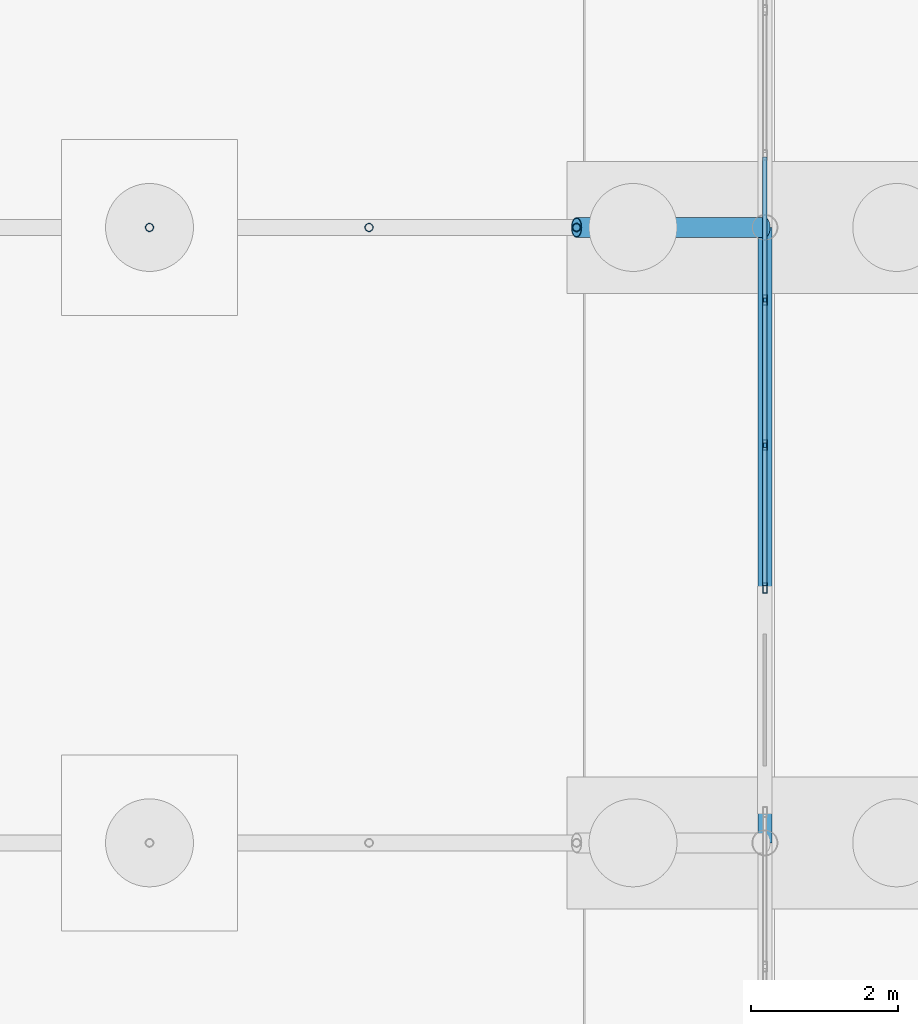
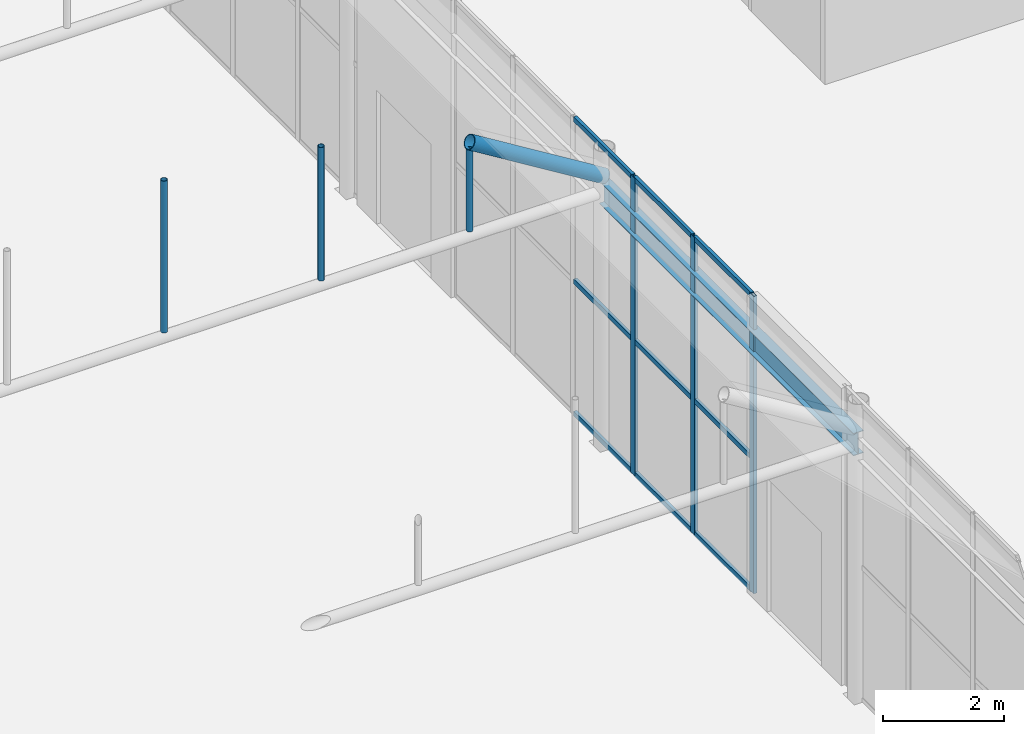
# One storey, part 108 of 212: 16 members, 1 beam, 1 element without a shape of its own.
"""IFC4 building model written with IfcOpenShell, lengths in metres."""

from ifc_helpers import new_model, si_unit, direction, frame, origin, origin_2d, place, context, subcontext, project, spatial, hollow_rectangle, hollow_circle, i_section, extrude, material, material_profile, profile_set, type_object, element, aggregate, save


model = new_model("IFC4")

# Units and contexts
model_context = context("Model", 3, precision=1e-05, world=origin(), true_north=direction((0.0, 1.0)))
body_context = subcontext(model_context, "Body", "Model", "MODEL_VIEW")
ifc_project = project(units=[si_unit("LENGTHUNIT", "METRE"), si_unit("AREAUNIT", "SQUARE_METRE"), si_unit("VOLUMEUNIT", "CUBIC_METRE"), si_unit("PLANEANGLEUNIT", "RADIAN"), si_unit("MASSUNIT", "GRAM", prefix="KILO")], contexts=[model_context])

# Site, building, storey
site_placement = place(None, origin())
site = spatial("IfcSite", under=ifc_project, at=site_placement, CompositionType="ELEMENT")
building_placement = place(site_placement, origin())
building = spatial("IfcBuilding", under=site, at=building_placement, Name="Catenary Quay Ferry Terminal", CompositionType="ELEMENT")
storey_placement = place(building_placement, origin())
storey = spatial("IfcBuildingStorey", under=building, at=storey_placement, Name="L00", CompositionType="ELEMENT", Elevation=0.0)

# Beam
ifc_material_1 = material(Name="Steel S355", Category="steel")
ifc_material_profile_1 = material_profile(ifc_material_1, i_section(OverallWidth=0.18994140625, OverallDepth=0.453369140625, WebThickness=0.008544921875, FlangeThickness=0.0126953125, at=origin_2d()), Name="UB 457x191x67")
ifc_profile_set_1 = profile_set([ifc_material_profile_1], Name="Steel S355")
beam_type = type_object("IfcBeamType", Name="B1 UB 457x191x67", PredefinedType="BEAM", material=ifc_profile_set_1)
beam_placement = place(storey_placement, frame((25.199951171875, 117.60009765625, 5.10009765625), z_axis=(0.0, 1.0, 0.0), x_axis=(-1.0, 0.0, 0.0)))
element("IfcBeam", 1, at=beam_placement, inside=storey, type_object=beam_type, Name="Eaves beam B-FD7", PredefinedType="BEAM", context=body_context, shape_type="SweptSolid", body=[
    extrude(i_section(OverallWidth=0.18994140625, OverallDepth=0.453369140625, WebThickness=0.008544921875, FlangeThickness=0.0126953125, at=origin_2d()), origin(), (0.0, 0.0, 1.0), 8.39990234375),
])

# Members
ifc_material_2 = material(Name="Steel S355", Category="steel")
ifc_material_profile_2 = material_profile(ifc_material_2, hollow_circle(Radius=0.05712890625, WallThickness=0.00634765625, at=origin_2d()), Name="CHS 114.3x6.3")
ifc_profile_set_2 = profile_set([ifc_material_profile_2], Name="Steel S355")
member_type_1 = type_object("IfcMemberType", Name="HG1 CHS 114.3x6.3", PredefinedType="POST", material=ifc_profile_set_2)
member_1_placement = place(storey_placement, frame((16.800048828125, 126.0, 5.205078125), z_axis=(0.0, 0.0, 1.0), x_axis=(1.0, 0.0, 0.0)))
element("IfcMember", 2, at=member_1_placement, inside=storey, type_object=member_type_1, Name="Hanger FC-08-03", PredefinedType="POST", context=body_context, shape_type="SweptSolid", body=[
    extrude(hollow_circle(Radius=0.05712890625, WallThickness=0.00634765625, at=origin_2d()), origin(), (0.0, 0.0, 1.0), 3.06494140625),
])
member_2_placement = place(storey_placement, frame((19.797119140625, 126.0, 5.205078125), z_axis=(0.0, 0.0, 1.0), x_axis=(1.0, 0.0, 0.0)))
element("IfcMember", 3, at=member_2_placement, inside=storey, type_object=member_type_1, Name="Hanger FC-08-04", PredefinedType="POST", context=body_context, shape_type="SweptSolid", body=[
    extrude(hollow_circle(Radius=0.05712890625, WallThickness=0.00634765625, at=origin_2d()), origin(), (0.0, 0.0, 1.0), 2.69580078125),
])
member_3_placement = place(storey_placement, frame((22.62890625, 126.0, 5.205078125), z_axis=(0.0, 0.0, 1.0), x_axis=(1.0, 0.0, 0.0)))
element("IfcMember", 4, at=member_3_placement, inside=storey, type_object=member_type_1, Name="Hanger FC-08-05", PredefinedType="POST", context=body_context, shape_type="SweptSolid", body=[
    extrude(hollow_circle(Radius=0.05712890625, WallThickness=0.00634765625, at=origin_2d()), origin(), (0.0, 0.0, 1.0), 1.64892578125),
])

# Curtain wall, members
ifc_material_3 = material(Name="Aluminium and glass", Category="aluminium")
curtain_wall_type = type_object("IfcCurtainWallType", Name="CWG", PredefinedType="NOTDEFINED", material=ifc_material_3)
curtain_wall_placement = place(storey_placement, origin())
curtain_wall = element("IfcCurtainWall", 5, at=curtain_wall_placement, inside=storey, type_object=curtain_wall_type, Name="Gable departure hall curtain wall CW14", PredefinedType="NOTDEFINED")
ifc_material_4 = material(Name="Aluminium", Category="aluminium")
ifc_material_profile_3 = material_profile(ifc_material_4, hollow_rectangle(XDim=0.06005859375, YDim=0.139892578125, WallThickness=0.006103515625, at=origin_2d()), Name="MU2")
ifc_profile_set_3 = profile_set([ifc_material_profile_3], Name="Aluminium")
member_type_2 = type_object("IfcMemberType", Name="MU2", PredefinedType="MULLION", material=ifc_profile_set_3)
member_4_placement = place(storey_placement, frame((25.199951171875, 121.080078125, 0.0), z_axis=(0.0, 0.0, 1.0), x_axis=(-1.0, 0.0, 0.0)))
member_4 = element("IfcMember", 6, at=member_4_placement, type_object=member_type_2, Name="CW14 mullion 1", PredefinedType="MULLION", context=body_context, shape_type="SweptSolid", body=[
    extrude(hollow_rectangle(XDim=0.06005859375, YDim=0.139892578125, WallThickness=0.006103515625, at=origin_2d()), origin(), (0.0, 0.0, 1.0), 6.0),
])
member_5_placement = place(storey_placement, frame((25.199951171875, 123.030029296875, 0.0), z_axis=(0.0, 0.0, 1.0), x_axis=(-1.0, 0.0, 0.0)))
member_5 = element("IfcMember", 7, at=member_5_placement, type_object=member_type_2, Name="CW14 mullion 2", PredefinedType="MULLION", context=body_context, shape_type="SweptSolid", body=[
    extrude(hollow_rectangle(XDim=0.06005859375, YDim=0.139892578125, WallThickness=0.006103515625, at=origin_2d()), origin(), (0.0, 0.0, 1.0), 6.0),
])
member_6_placement = place(storey_placement, frame((25.199951171875, 125.010009765625, 0.0), z_axis=(0.0, 0.0, 1.0), x_axis=(-1.0, 0.0, 0.0)))
member_6 = element("IfcMember", 8, at=member_6_placement, type_object=member_type_2, Name="CW14 mullion 3", PredefinedType="MULLION", context=body_context, shape_type="SweptSolid", body=[
    extrude(hollow_rectangle(XDim=0.06005859375, YDim=0.139892578125, WallThickness=0.006103515625, at=origin_2d()), origin(), (0.0, 0.0, 1.0), 6.0),
])
ifc_material_5 = material(Name="Aluminium", Category="aluminium")
ifc_material_profile_4 = material_profile(ifc_material_5, hollow_rectangle(XDim=0.06005859375, YDim=0.10009765625, WallThickness=0.0048828125, at=origin_2d()), Name="TR2")
ifc_profile_set_4 = profile_set([ifc_material_profile_4], Name="Aluminium")
member_type_3 = type_object("IfcMemberType", Name="TR2", PredefinedType="USERDEFINED", material=ifc_profile_set_4)
member_7_placement = place(storey_placement, frame((25.199951171875, 121.110107421875, 0.030029296875), z_axis=(0.0, 1.0, 0.0), x_axis=(-1.0, 0.0, 0.0)))
member_7 = element("IfcMember", 9, at=member_7_placement, type_object=member_type_3, Name="CW14 transom 1.1", ObjectType="TRANSOM", PredefinedType="USERDEFINED", context=body_context, shape_type="SweptSolid", body=[
    extrude(hollow_rectangle(XDim=0.06005859375, YDim=0.10009765625, WallThickness=0.0048828125, at=origin_2d()), origin(), (0.0, 0.0, 1.0), 1.889892578125),
])
member_8_placement = place(storey_placement, frame((25.199951171875, 121.110107421875, 2.699951171875), z_axis=(0.0, 1.0, 0.0), x_axis=(-1.0, 0.0, 0.0)))
member_8 = element("IfcMember", 10, at=member_8_placement, type_object=member_type_3, Name="CW14 transom 1.2", ObjectType="TRANSOM", PredefinedType="USERDEFINED", context=body_context, shape_type="SweptSolid", body=[
    extrude(hollow_rectangle(XDim=0.06005859375, YDim=0.10009765625, WallThickness=0.0048828125, at=origin_2d()), origin(), (0.0, 0.0, 1.0), 1.889892578125),
])
member_9_placement = place(storey_placement, frame((25.199951171875, 121.110107421875, 5.969970703125), z_axis=(0.0, 1.0, 0.0), x_axis=(-1.0, 0.0, 0.0)))
member_9 = element("IfcMember", 11, at=member_9_placement, type_object=member_type_3, Name="CW14 transom 1.3", ObjectType="TRANSOM", PredefinedType="USERDEFINED", context=body_context, shape_type="SweptSolid", body=[
    extrude(hollow_rectangle(XDim=0.06005859375, YDim=0.10009765625, WallThickness=0.0048828125, at=origin_2d()), origin(), (0.0, 0.0, 1.0), 1.889892578125),
])
member_10_placement = place(storey_placement, frame((25.199951171875, 123.06005859375, 0.030029296875), z_axis=(0.0, 1.0, 0.0), x_axis=(-1.0, 0.0, 0.0)))
member_10 = element("IfcMember", 12, at=member_10_placement, type_object=member_type_3, Name="CW14 transom 2.1", ObjectType="TRANSOM", PredefinedType="USERDEFINED", context=body_context, shape_type="SweptSolid", body=[
    extrude(hollow_rectangle(XDim=0.06005859375, YDim=0.10009765625, WallThickness=0.0048828125, at=origin_2d()), origin(), (0.0, 0.0, 1.0), 1.919921875),
])
member_11_placement = place(storey_placement, frame((25.199951171875, 123.06005859375, 2.699951171875), z_axis=(0.0, 1.0, 0.0), x_axis=(-1.0, 0.0, 0.0)))
member_11 = element("IfcMember", 13, at=member_11_placement, type_object=member_type_3, Name="CW14 transom 2.2", ObjectType="TRANSOM", PredefinedType="USERDEFINED", context=body_context, shape_type="SweptSolid", body=[
    extrude(hollow_rectangle(XDim=0.06005859375, YDim=0.10009765625, WallThickness=0.0048828125, at=origin_2d()), origin(), (0.0, 0.0, 1.0), 1.919921875),
])
member_12_placement = place(storey_placement, frame((25.199951171875, 123.06005859375, 5.969970703125), z_axis=(0.0, 1.0, 0.0), x_axis=(-1.0, 0.0, 0.0)))
member_12 = element("IfcMember", 14, at=member_12_placement, type_object=member_type_3, Name="CW14 transom 2.3", ObjectType="TRANSOM", PredefinedType="USERDEFINED", context=body_context, shape_type="SweptSolid", body=[
    extrude(hollow_rectangle(XDim=0.06005859375, YDim=0.10009765625, WallThickness=0.0048828125, at=origin_2d()), origin(), (0.0, 0.0, 1.0), 1.919921875),
])
member_13_placement = place(storey_placement, frame((25.199951171875, 125.0400390625, 0.030029296875), z_axis=(0.0, 1.0, 0.0), x_axis=(-1.0, 0.0, 0.0)))
member_13 = element("IfcMember", 15, at=member_13_placement, type_object=member_type_3, Name="CW14 transom 3.1", ObjectType="TRANSOM", PredefinedType="USERDEFINED", context=body_context, shape_type="SweptSolid", body=[
    extrude(hollow_rectangle(XDim=0.06005859375, YDim=0.10009765625, WallThickness=0.0048828125, at=origin_2d()), origin(), (0.0, 0.0, 1.0), 1.919921875),
])
member_14_placement = place(storey_placement, frame((25.199951171875, 125.0400390625, 2.699951171875), z_axis=(0.0, 1.0, 0.0), x_axis=(-1.0, 0.0, 0.0)))
member_14 = element("IfcMember", 16, at=member_14_placement, type_object=member_type_3, Name="CW14 transom 3.2", ObjectType="TRANSOM", PredefinedType="USERDEFINED", context=body_context, shape_type="SweptSolid", body=[
    extrude(hollow_rectangle(XDim=0.06005859375, YDim=0.10009765625, WallThickness=0.0048828125, at=origin_2d()), origin(), (0.0, 0.0, 1.0), 1.919921875),
])
member_15_placement = place(storey_placement, frame((25.199951171875, 125.0400390625, 5.969970703125), z_axis=(0.0, 1.0, 0.0), x_axis=(-1.0, 0.0, 0.0)))
member_15 = element("IfcMember", 17, at=member_15_placement, type_object=member_type_3, Name="CW14 transom 3.3", ObjectType="TRANSOM", PredefinedType="USERDEFINED", context=body_context, shape_type="SweptSolid", body=[
    extrude(hollow_rectangle(XDim=0.06005859375, YDim=0.10009765625, WallThickness=0.0048828125, at=origin_2d()), origin(), (0.0, 0.0, 1.0), 1.919921875),
])
aggregate(curtain_wall, [member_4, member_5, member_6, member_7, member_8, member_9, member_10, member_11, member_12, member_13, member_14, member_15])

# Member
ifc_material_6 = material(Name="Steel S355", Category="steel")
ifc_material_profile_5 = material_profile(ifc_material_6, hollow_circle(Radius=0.136474609375, WallThickness=0.012451171875, at=origin_2d()), Name="CHS 273x12.5")
ifc_profile_set_5 = profile_set([ifc_material_profile_5], Name="Steel S355")
member_type_4 = type_object("IfcMemberType", Name="VR2 CHS 273x12.5", PredefinedType="RAFTER", material=ifc_profile_set_5)
member_16_placement = place(storey_placement, frame((22.62890625, 126.0, 6.98388671875), z_axis=(0.851391726314, 0.0, -0.524530388408), x_axis=(0.0, 1.0, 0.0)))
element("IfcMember", 18, at=member_16_placement, inside=storey, type_object=member_type_4, Name="rib FC-08-06", PredefinedType="RAFTER", context=body_context, shape_type="SweptSolid", body=[
    extrude(hollow_circle(Radius=0.136474609375, WallThickness=0.012451171875, at=origin_2d()), origin(), (0.0, 0.0, 1.0), 3.019775390625),
])

save(model, "model.ifc")
